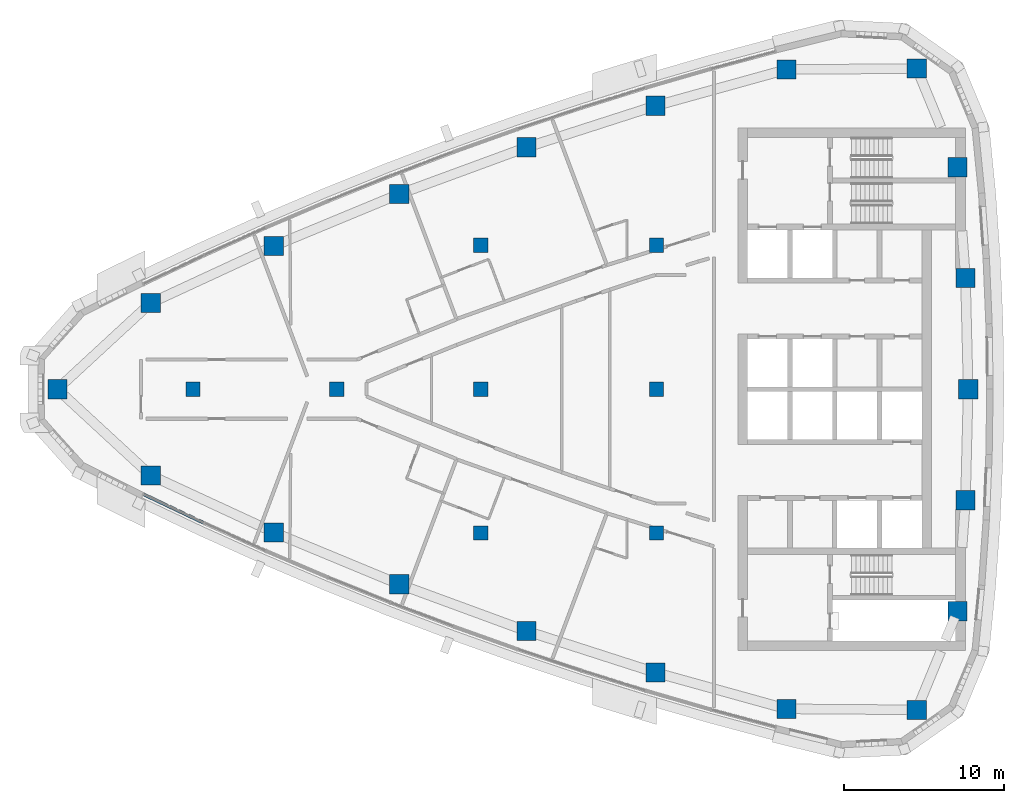
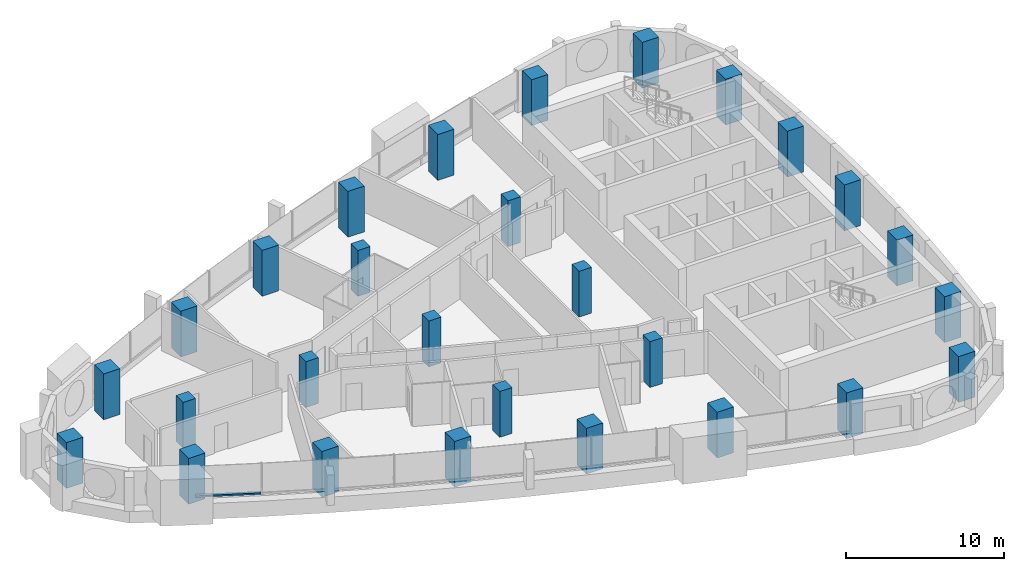
# One storey, part 1 of 16: 28 columns, 1 member, 1 element without a shape of its own.
"""IFC4 building model written with IfcOpenShell, lengths in metres."""

from ifc_helpers import new_model, si_unit, direction, frame, origin, origin_2d, place, context, subcontext, project, spatial, rectangle, extrude, material, layer, layer_set, material_profile, profile_set, type_object, element, aggregate, save


model = new_model("IFC4")

# Units and contexts
model_context = context("Model", 3, precision=1e-05, world=origin(), true_north=direction((0.0, 1.0)))
body_context = subcontext(model_context, "Body", "Model", "MODEL_VIEW")
ifc_project = project(units=[si_unit("LENGTHUNIT", "METRE"), si_unit("AREAUNIT", "SQUARE_METRE"), si_unit("VOLUMEUNIT", "CUBIC_METRE"), si_unit("PLANEANGLEUNIT", "RADIAN"), si_unit("MASSUNIT", "GRAM", prefix="KILO")], contexts=[model_context])

# Site, building, storey
site_placement = place(None, origin())
site = spatial("IfcSite", under=ifc_project, at=site_placement, CompositionType="ELEMENT")
building_placement = place(site_placement, origin())
building = spatial("IfcBuilding", under=site, at=building_placement, Name="Ostrand Prow Hotel Tower", CompositionType="ELEMENT")
storey_placement = place(building_placement, frame((0.0, 0.0, 227.89990234375)))
storey = spatial("IfcBuildingStorey", under=building, at=storey_placement, Name="L57", CompositionType="ELEMENT", Elevation=227.89990234375)

# Columns
ifc_material_1 = material(Name="Concrete C50/60", Category="concrete")
ifc_material_profile_1 = material_profile(ifc_material_1, rectangle(XDim=0.89990234375, YDim=0.89990234375, at=origin_2d()), Name="RC 900x900")
ifc_profile_set_1 = profile_set([ifc_material_profile_1], Name="Concrete C50/60")
column_type_1 = type_object("IfcColumnType", Name="Interior column 900x900 C50/60", PredefinedType="COLUMN", material=ifc_profile_set_1)
for number, where, z_axis, x_axis, name in (
    (1, (16.0, 0.0, 0.0), (0.0, 0.0, 1.0), (1.0, 0.0, 0.0), "Interior column 16C0"),
    (2, (25.0, 0.0, 0.0), (0.0, 0.0, 1.0), (1.0, 0.0, 0.0), "Interior column 25C0"),
    (3, (34.0, -9.0, 0.0), (0.0, 0.0, 1.0), (1.0, 0.0, 0.0), "Interior column 34S9"),
    (4, (34.0, 0.0, 0.0), (0.0, 0.0, 1.0), (1.0, 0.0, 0.0), "Interior column 34C0"),
    (5, (34.0, 9.0, 0.0), (0.0, 0.0, 1.0), (1.0, 0.0, 0.0), "Interior column 34N9"),
    (6, (45.0, -9.0, 0.0), (0.0, 0.0, 1.0), (1.0, 0.0, 0.0), "Interior column 45S9"),
    (7, (45.0, 0.0, 0.0), (0.0, 0.0, 1.0), (1.0, 0.0, 0.0), "Interior column 45C0"),
    (8, (45.0, 9.0, 0.0), (0.0, 0.0, 1.0), (1.0, 0.0, 0.0), "Interior column 45N9"),
):
    element("IfcColumn", number, at=place(storey_placement, frame(where, z_axis=z_axis, x_axis=x_axis)), inside=storey, type_object=column_type_1, Name=name, PredefinedType="COLUMN", context=body_context, shape_type="SweptSolid", body=[
        extrude(rectangle(XDim=0.89990234375, YDim=0.89990234375, at=origin_2d()), origin(), (0.0, 0.0, 1.0), 3.550048828125),
    ])
ifc_material_2 = material(Name="Concrete C50/60", Category="concrete")
ifc_material_profile_2 = material_profile(ifc_material_2, rectangle(XDim=1.199951171875, YDim=1.199951171875, at=origin_2d()), Name="RC 1200x1200")
ifc_profile_set_2 = profile_set([ifc_material_profile_2], Name="Concrete C50/60")
column_type_2 = type_object("IfcColumnType", Name="Stone-faced mega column 1200x1200 C50/60", PredefinedType="COLUMN", material=ifc_profile_set_2)
for number, where, z_axis, x_axis, name in (
    (9, (7.513916015625, 0.0, 0.0), (0.0, 0.0, 1.0), (1.0, 0.0, 0.0), "Mega column P"),
    (10, (13.356201171875, -5.392822265625, 0.0), (0.0, 0.0, 1.0), (1.0, 0.0, 0.0), "Mega column S1"),
    (11, (21.05859375, -8.95751953125, 0.0), (0.0, 0.0, 1.0), (1.0, 0.0, 0.0), "Mega column S2"),
    (12, (28.900146484375, -12.205322265625, 0.0), (0.0, 0.0, 1.0), (1.0, 0.0, 0.0), "Mega column S3"),
    (13, (36.8671875, -15.131591796875, 0.0), (0.0, 0.0, 1.0), (1.0, 0.0, 0.0), "Mega column S4"),
    (14, (44.94677734375, -17.731201171875, 0.0), (0.0, 0.0, 1.0), (1.0, 0.0, 0.0), "Mega column S5"),
    (15, (53.12548828125, -19.99951171875, 0.0), (0.0, 0.0, 1.0), (1.0, 0.0, 0.0), "Mega column S6"),
    (16, (61.283935546875, -20.06201171875, 0.0), (0.0, 0.0, 1.0), (1.0, 0.0, 0.0), "Mega column SE"),
    (17, (63.826416015625, -13.887939453125, 0.0), (0.0, 0.0, 1.0), (1.0, 0.0, 0.0), "Mega column B1"),
    (18, (64.33154296875, -6.9521484375, 0.0), (0.0, 0.0, 1.0), (1.0, 0.0, 0.0), "Mega column B2"),
    (19, (64.5, 0.0, 0.0), (0.0, 0.0, 1.0), (1.0, 0.0, 0.0), "Mega column B3"),
    (20, (64.33154296875, 6.9521484375, 0.0), (0.0, 0.0, 1.0), (1.0, 0.0, 0.0), "Mega column B4"),
    (21, (63.826416015625, 13.887939453125, 0.0), (0.0, 0.0, 1.0), (1.0, 0.0, 0.0), "Mega column B5"),
    (22, (61.283935546875, 20.06201171875, 0.0), (0.0, 0.0, 1.0), (1.0, 0.0, 0.0), "Mega column NE"),
    (23, (53.12548828125, 19.99951171875, 0.0), (0.0, 0.0, 1.0), (1.0, 0.0, 0.0), "Mega column N1"),
    (24, (44.94677734375, 17.731201171875, 0.0), (0.0, 0.0, 1.0), (1.0, 0.0, 0.0), "Mega column N2"),
    (25, (36.8671875, 15.131591796875, 0.0), (0.0, 0.0, 1.0), (1.0, 0.0, 0.0), "Mega column N3"),
    (26, (28.900146484375, 12.205322265625, 0.0), (0.0, 0.0, 1.0), (1.0, 0.0, 0.0), "Mega column N4"),
    (27, (21.05859375, 8.95751953125, 0.0), (0.0, 0.0, 1.0), (1.0, 0.0, 0.0), "Mega column N5"),
    (28, (13.356201171875, 5.392822265625, 0.0), (0.0, 0.0, 1.0), (1.0, 0.0, 0.0), "Mega column N6"),
):
    element("IfcColumn", number, at=place(storey_placement, frame(where, z_axis=z_axis, x_axis=x_axis)), inside=storey, type_object=column_type_2, Name=name, PredefinedType="COLUMN", context=body_context, shape_type="SweptSolid", body=[
        extrude(rectangle(XDim=1.199951171875, YDim=1.199951171875, at=origin_2d()), origin(), (0.0, 0.0, 1.0), 3.550048828125),
    ])

# Curtain wall, member
ifc_material_3 = material(Name="Insulated glass in bronze anodised frame", Category="glass")
ifc_layer = layer(ifc_material_3, 0.199951171875)
ifc_layer_set = layer_set([ifc_layer], Name="Insulated glass in bronze anodised frame")
curtain_wall_type = type_object("IfcCurtainWallType", Name="Strip curtain wall, fritted glass over bronze spandrel", PredefinedType="NOTDEFINED", material=ifc_layer_set)
curtain_wall_placement = place(storey_placement, origin())
curtain_wall = element("IfcCurtainWall", 29, at=curtain_wall_placement, inside=storey, type_object=curtain_wall_type, Name="CW1 run CWS1", PredefinedType="NOTDEFINED")
ifc_material_4 = material(Name="Bronze anodised aluminium", Category="aluminium")
ifc_material_profile_3 = material_profile(ifc_material_4, rectangle(XDim=0.199951171875, YDim=0.1201171875, at=origin_2d()), Name="Transom 120x200 bronze anodised aluminium")
ifc_profile_set_3 = profile_set([ifc_material_profile_3], Name="Bronze anodised aluminium")
member_type = type_object("IfcMemberType", Name="Transom 120x200 bronze anodised aluminium", PredefinedType="USERDEFINED", material=ifc_profile_set_3)
member_placement = place(storey_placement, frame((12.92041015625, -6.583740234375, 0.960205078125), z_axis=(0.903364977925, -0.428872611226, 0.0), x_axis=(0.428872611226, 0.903364977925, 0.0)))
member = element("IfcMember", 30, at=member_placement, type_object=member_type, Name="CW1 transom 1.1", ObjectType="TRANSOM", PredefinedType="USERDEFINED", context=body_context, shape_type="SweptSolid", body=[
    extrude(rectangle(XDim=0.199951171875, YDim=0.1201171875, at=origin_2d()), origin(), (0.0, 0.0, 1.0), 4.16357421875),
])
aggregate(curtain_wall, [member])

save(model, "model.ifc")
